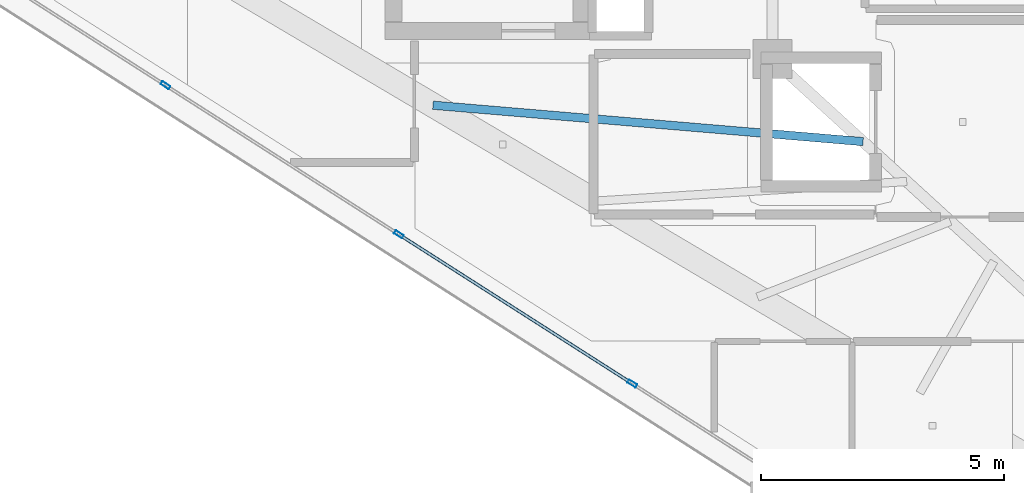
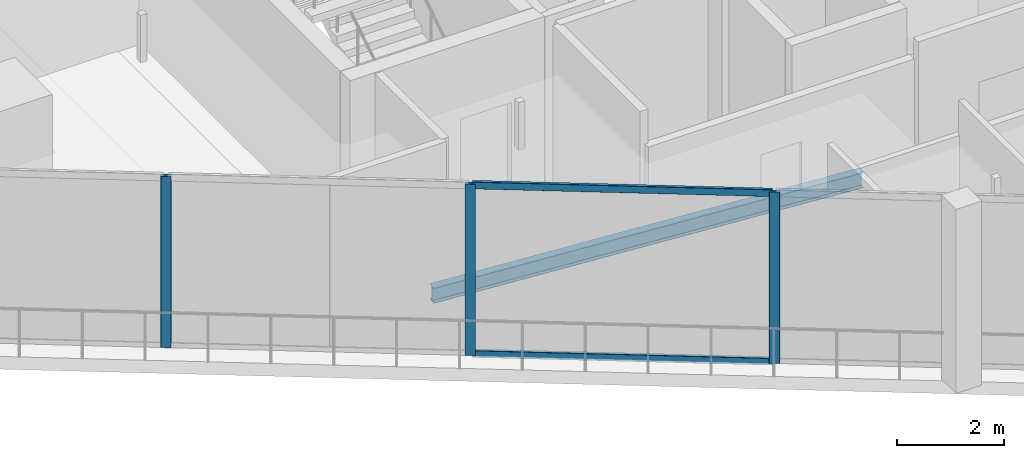
# One storey, part 2 of 24: 5 members, 1 beam, 1 element without a shape of its own.
"""IFC4 building model written with IfcOpenShell, lengths in metres."""

from ifc_helpers import new_model, si_unit, direction, frame, origin, origin_2d, place, context, subcontext, project, spatial, hollow_rectangle, i_section, extrude, material, layer, layer_set, material_profile, profile_set, type_object, element, aggregate, save


model = new_model("IFC4")

# Units and contexts
model_context = context("Model", 3, precision=1e-05, world=origin(), true_north=direction((0.0, 1.0)))
body_context = subcontext(model_context, "Body", "Model", "MODEL_VIEW")
ifc_project = project(units=[si_unit("LENGTHUNIT", "METRE"), si_unit("AREAUNIT", "SQUARE_METRE"), si_unit("VOLUMEUNIT", "CUBIC_METRE"), si_unit("PLANEANGLEUNIT", "RADIAN"), si_unit("MASSUNIT", "GRAM", prefix="KILO")], contexts=[model_context])

# Site, building, storey
site_placement = place(None, origin())
site = spatial("IfcSite", under=ifc_project, at=site_placement, CompositionType="ELEMENT")
building_placement = place(site_placement, origin())
building = spatial("IfcBuilding", under=site, at=building_placement, Name="Qorvath Tower", CompositionType="ELEMENT")
storey_placement = place(building_placement, frame((0.0, 0.0, 318.60009765625)))
storey = spatial("IfcBuildingStorey", under=building, at=storey_placement, Name="L74", CompositionType="ELEMENT", Elevation=318.60009765625)

# Beam
ifc_material_1 = material(Name="Steel ASTM A992 Grade 50", Category="steel")
ifc_material_profile_1 = material_profile(ifc_material_1, i_section(OverallWidth=0.1708984375, OverallDepth=0.35107421875, WebThickness=0.0068359375, FlangeThickness=0.009765625, FilletRadius=0.010009765625, at=origin_2d()), Name="W14x30")
ifc_profile_set_1 = profile_set([ifc_material_profile_1], Name="Steel ASTM A992 Grade 50")
beam_type = type_object("IfcBeamType", Name="BM-FJ4", PredefinedType="JOIST", material=ifc_profile_set_1)
beam_placement = place(storey_placement, frame((-28.636962890625, -6.85107421875, -0.465576171875), z_axis=(-0.996436150147, 0.084350451576, 0.0), x_axis=(-0.084350451576, -0.996436150147, 0.0)))
element("IfcBeam", 1, at=beam_placement, inside=storey, type_object=beam_type, Name="Composite Floor Joist SW2 L74", PredefinedType="JOIST", context=body_context, shape_type="SweptSolid", body=[
    extrude(i_section(OverallWidth=0.1708984375, OverallDepth=0.35107421875, WebThickness=0.0068359375, FlangeThickness=0.009765625, FilletRadius=0.010009765625, at=origin_2d()), origin(), (0.0, 0.0, 1.0), 8.87109375),
])

# Curtain wall, members
ifc_material_2 = material(Name="Anodised aluminium and triple low-E glass", Category="aluminium")
ifc_layer = layer(ifc_material_2, 0.179931640625)
ifc_layer_set = layer_set([ifc_layer], Name="CW-SYS-4")
curtain_wall_type = type_object("IfcCurtainWallType", Name="CW-SYS-4", PredefinedType="NOTDEFINED", material=ifc_layer_set)
curtain_wall_placement = place(storey_placement, origin())
curtain_wall = element("IfcCurtainWall", 2, at=curtain_wall_placement, inside=storey, type_object=curtain_wall_type, Name="Curtain Wall CW-4 CW-T-L74-2.1", PredefinedType="NOTDEFINED")
ifc_material_3 = material(Name="Anodised aluminium 6063-T6", Category="aluminium")
ifc_material_profile_2 = material_profile(ifc_material_3, hollow_rectangle(XDim=0.074951171875, YDim=0.199951171875, WallThickness=0.00390625, InnerFilletRadius=0.00390625, OuterFilletRadius=0.008056640625, at=origin_2d()), Name="CWM 200x75")
ifc_profile_set_2 = profile_set([ifc_material_profile_2], Name="Anodised aluminium 6063-T6")
member_type_1 = type_object("IfcMemberType", Name="CWM-200", PredefinedType="MULLION", material=ifc_profile_set_2)
member_1_placement = place(storey_placement, frame((-42.973876953125, -5.692626953125, 0.0), z_axis=(0.0, 0.0, 1.0), x_axis=(0.538531704636, 0.842605247493, 0.0)))
member_1 = element("IfcMember", 3, at=member_1_placement, type_object=member_type_1, Name="CW-4 mullion 2", PredefinedType="MULLION", context=body_context, shape_type="SweptSolid", body=[
    extrude(hollow_rectangle(XDim=0.074951171875, YDim=0.199951171875, WallThickness=0.00390625, InnerFilletRadius=0.00390625, OuterFilletRadius=0.008056640625, at=origin_2d()), origin(), (0.0, 0.0, 1.0), 3.909912109375),
])
member_2_placement = place(storey_placement, frame((-38.177734375, -8.758056640625, 0.0), z_axis=(0.0, 0.0, 1.0), x_axis=(0.538531704636, 0.842605247493, 0.0)))
member_2 = element("IfcMember", 4, at=member_2_placement, type_object=member_type_1, Name="CW-4 mullion 3", PredefinedType="MULLION", context=body_context, shape_type="SweptSolid", body=[
    extrude(hollow_rectangle(XDim=0.074951171875, YDim=0.199951171875, WallThickness=0.00390625, InnerFilletRadius=0.00390625, OuterFilletRadius=0.008056640625, at=origin_2d()), origin(), (0.0, 0.0, 1.0), 3.909912109375),
])
member_3_placement = place(storey_placement, frame((-33.381591796875, -11.8232421875, 0.0), z_axis=(0.0, 0.0, 1.0), x_axis=(0.538531704636, 0.842605247493, 0.0)))
member_3 = element("IfcMember", 5, at=member_3_placement, type_object=member_type_1, Name="CW-4 mullion 4", PredefinedType="MULLION", context=body_context, shape_type="SweptSolid", body=[
    extrude(hollow_rectangle(XDim=0.074951171875, YDim=0.199951171875, WallThickness=0.00390625, InnerFilletRadius=0.00390625, OuterFilletRadius=0.008056640625, at=origin_2d()), origin(), (0.0, 0.0, 1.0), 3.909912109375),
])
ifc_material_4 = material(Name="Anodised aluminium 6063-T6", Category="aluminium")
ifc_material_profile_3 = material_profile(ifc_material_4, hollow_rectangle(XDim=0.06494140625, YDim=0.159912109375, WallThickness=0.00341796875, InnerFilletRadius=0.00341796875, OuterFilletRadius=0.007080078125, at=origin_2d()), Name="CWT 160x65")
ifc_profile_set_3 = profile_set([ifc_material_profile_3], Name="Anodised aluminium 6063-T6")
member_type_2 = type_object("IfcMemberType", Name="CWT-160", PredefinedType="USERDEFINED", material=ifc_profile_set_3)
member_4_placement = place(storey_placement, frame((-38.146240234375, -8.7783203125, 0.032470703125), z_axis=(0.842607508841, -0.538528166436, 0.0), x_axis=(0.538528166436, 0.842607508841, 0.0)))
member_4 = element("IfcMember", 6, at=member_4_placement, type_object=member_type_2, Name="CW-4 transom 3.1", ObjectType="TRANSOM", PredefinedType="USERDEFINED", context=body_context, shape_type="SweptSolid", body=[
    extrude(hollow_rectangle(XDim=0.06494140625, YDim=0.159912109375, WallThickness=0.00341796875, InnerFilletRadius=0.00341796875, OuterFilletRadius=0.007080078125, at=origin_2d()), origin(), (0.0, 0.0, 1.0), 5.616943359375),
])
member_5_placement = place(storey_placement, frame((-38.146240234375, -8.7783203125, 3.87744140625), z_axis=(0.842607508841, -0.538528166436, 0.0), x_axis=(0.538528166436, 0.842607508841, 0.0)))
member_5 = element("IfcMember", 7, at=member_5_placement, type_object=member_type_2, Name="CW-4 transom 3.2", ObjectType="TRANSOM", PredefinedType="USERDEFINED", context=body_context, shape_type="SweptSolid", body=[
    extrude(hollow_rectangle(XDim=0.06494140625, YDim=0.159912109375, WallThickness=0.00341796875, InnerFilletRadius=0.00341796875, OuterFilletRadius=0.007080078125, at=origin_2d()), origin(), (0.0, 0.0, 1.0), 5.616943359375),
])
aggregate(curtain_wall, [member_1, member_2, member_3, member_4, member_5])

save(model, "model.ifc")
